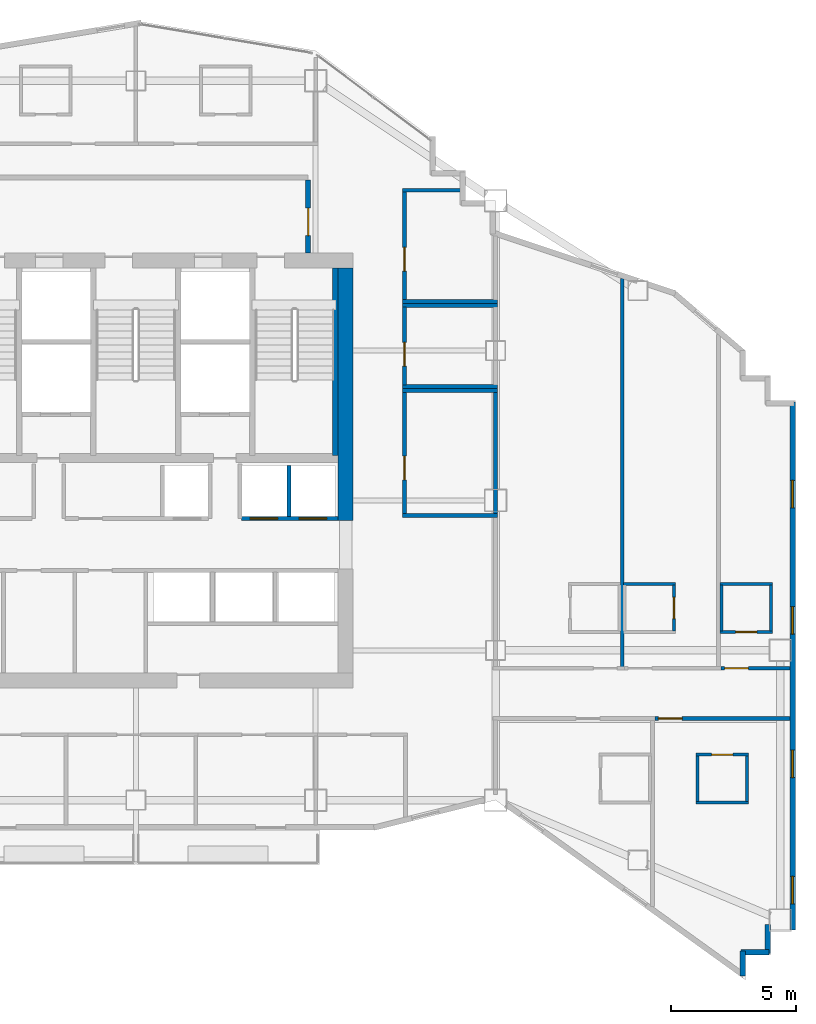
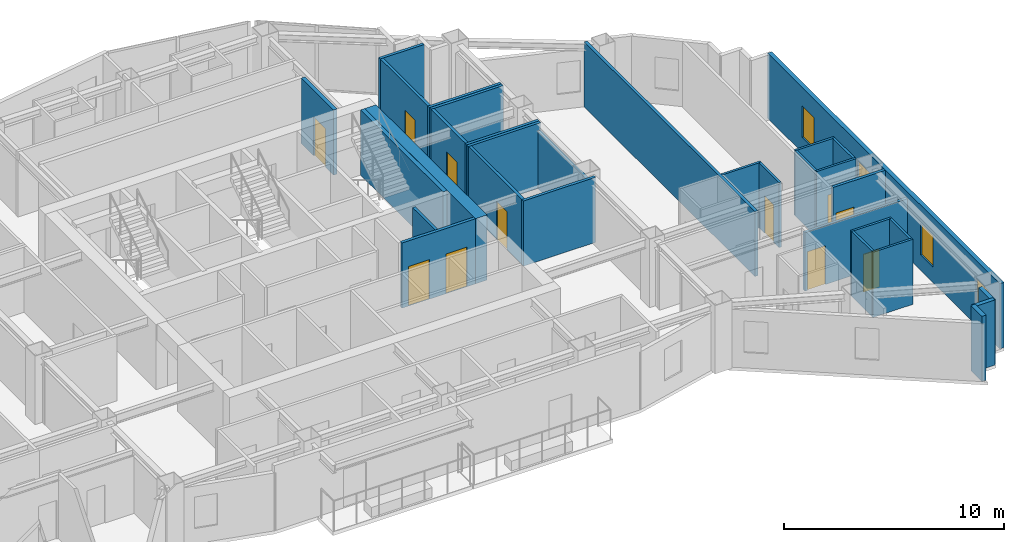
# One storey, part 8 of 11: 32 walls, 11 doors, 4 windows, 15 openings.
"""IFC4 building model written with IfcOpenShell, lengths in metres."""

from ifc_helpers import new_model, si_unit, direction, frame, frame_2d, origin, place, context, subcontext, project, spatial, rectangle, extrude, material, layer, layer_set, type_object, element, fill, save


model = new_model("IFC4")

# Units and contexts
model_context = context("Model", 3, precision=1e-05, world=origin(), true_north=direction((0.0, 1.0)))
body_context = subcontext(model_context, "Body", "Model", "MODEL_VIEW")
ifc_project = project(units=[si_unit("LENGTHUNIT", "METRE"), si_unit("AREAUNIT", "SQUARE_METRE"), si_unit("VOLUMEUNIT", "CUBIC_METRE"), si_unit("PLANEANGLEUNIT", "RADIAN"), si_unit("MASSUNIT", "GRAM", prefix="KILO")], contexts=[model_context])

# Site, building, storey
site_placement = place(None, origin())
site = spatial("IfcSite", under=ifc_project, at=site_placement, CompositionType="ELEMENT")
building_placement = place(site_placement, origin())
building = spatial("IfcBuilding", under=site, at=building_placement, Name="Haolan Belvedere Tower", CompositionType="ELEMENT")
storey_placement = place(building_placement, frame((0.0, 0.0, 215.39990234375)))
storey = spatial("IfcBuildingStorey", under=building, at=storey_placement, Name="L54", CompositionType="ELEMENT", Elevation=215.39990234375)

# Walls
ifc_material_1 = material(Name="Concrete C60/75", Category="concrete")
ifc_layer_1 = layer(ifc_material_1, 0.60009765625, Name="Concrete C60/75")
ifc_layer_set_1 = layer_set([ifc_layer_1], Name="Concrete C60/75")
wall_type_1 = type_object("IfcWallType", Name="WL-CORE-600", PredefinedType="SHEAR", material=ifc_layer_set_1)
wall_1_placement = place(storey_placement, frame((46.800048828125, 32.800048828125, 0.0), z_axis=(0.0, 0.0, 1.0), x_axis=(0.0, 1.0, 0.0)))
element("IfcWall", 1, at=wall_1_placement, inside=storey, type_object=wall_type_1, Name="L54 central core shear wall EN", PredefinedType="SHEAR", context=body_context, shape_type="SweptSolid", body=[
    extrude(rectangle(XDim=10.099853515625, YDim=0.60009765625, at=frame_2d((5.0498046875, 0.0))), origin(), (0.0, 0.0, 1.0), 3.6201171875),
])
ifc_material_2 = material(Name="Precast concrete C40/50", Category="concrete")
ifc_layer_2 = layer(ifc_material_2, 0.219970703125, Name="Precast concrete C40/50")
ifc_layer_set_2 = layer_set([ifc_layer_2], Name="Precast concrete C40/50")
wall_type_2 = type_object("IfcWallType", Name="WL-EXT-220", PredefinedType="SOLIDWALL", material=ifc_layer_set_2)
wall_2_placement = place(storey_placement, frame((62.68994140625, 14.559814453125, 0.0), z_axis=(0.0, 0.0, 1.0), x_axis=(0.0, 1.0, 0.0)))
element("IfcWall", 2, at=wall_2_placement, inside=storey, type_object=wall_type_2, Name="L54 pale-metal exterior spandrel wall 4.1", PredefinedType="SOLIDWALL", context=body_context, shape_type="SweptSolid", body=[
    extrude(rectangle(XDim=1.005126953125, YDim=0.219970703125, at=frame_2d((0.50244140625, 0.0))), origin(), (0.0, 0.0, 1.0), 3.6201171875),
])
wall_3_placement = place(storey_placement, frame((62.635009765625, 15.510009765625, 0.0), z_axis=(0.0, 0.0, 1.0), x_axis=(1.0, 0.0, 0.0)))
element("IfcWall", 3, at=wall_3_placement, inside=storey, type_object=wall_type_2, Name="L54 pale-metal exterior spandrel wall 5.1", PredefinedType="SOLIDWALL", context=body_context, shape_type="SweptSolid", body=[
    extrude(rectangle(XDim=1.110107421875, YDim=0.219970703125, at=frame_2d((0.55517578125, 0.0))), origin(), (0.0, 0.0, 1.0), 3.6201171875),
])
wall_4_placement = place(storey_placement, frame((63.68994140625, 15.455078125, 0.0), z_axis=(0.0, 0.0, 1.0), x_axis=(0.0, 1.0, 0.0)))
element("IfcWall", 4, at=wall_4_placement, inside=storey, type_object=wall_type_2, Name="L54 pale-metal exterior spandrel wall 6.1", PredefinedType="SOLIDWALL", context=body_context, shape_type="SweptSolid", body=[
    extrude(rectangle(XDim=1.1650390625, YDim=0.219970703125, at=frame_2d((0.58251953125, 0.0))), origin(), (0.0, 0.0, 1.0), 3.6201171875),
])

# Wall, openings, windows
wall_5_placement = place(storey_placement, frame((64.68994140625, 16.39990234375, 0.0), z_axis=(0.0, 0.0, 1.0), x_axis=(0.0, 1.0, 0.0)))
wall_5 = element("IfcWall", 5, at=wall_5_placement, inside=storey, type_object=wall_type_2, Name="L54 pale-metal exterior spandrel wall 8.1", PredefinedType="SOLIDWALL", context=body_context, shape_type="SweptSolid", body=[
    extrude(rectangle(XDim=21.14501953125, YDim=0.219970703125, at=frame_2d((10.572509765625, 0.0))), origin(), (0.0, 0.0, 1.0), 3.6201171875),
])
opening_1_placement = place(wall_5_placement, frame((1.050048828125, 0.0, 0.85009765625)))
opening_1 = element("IfcOpeningElement", 6, at=opening_1_placement, cuts=wall_5, Name="Opening W-03", PredefinedType="OPENING", context=body_context, shape_type="SweptSolid", body=[
    extrude(rectangle(XDim=1.10009765625, YDim=1.75, at=frame_2d((0.550048828125, 0.875))), frame((0.0, 0.119873046875, 0.0), z_axis=(0.0, -1.0, 0.0), x_axis=(1.0, 0.0, 0.0)), (0.0, 0.0, 1.0), 0.239990234375),
])
opening_2_placement = place(wall_5_placement, frame((6.10009765625, 0.0, 0.85009765625)))
opening_2 = element("IfcOpeningElement", 7, at=opening_2_placement, cuts=wall_5, Name="Opening W-03", PredefinedType="OPENING", context=body_context, shape_type="SweptSolid", body=[
    extrude(rectangle(XDim=1.10009765625, YDim=1.75, at=frame_2d((0.550048828125, 0.875))), frame((0.0, 0.119873046875, 0.0), z_axis=(0.0, -1.0, 0.0), x_axis=(1.0, 0.0, 0.0)), (0.0, 0.0, 1.0), 0.239990234375),
])
opening_3_placement = place(wall_5_placement, frame((11.85009765625, 0.0, 0.85009765625)))
opening_3 = element("IfcOpeningElement", 8, at=opening_3_placement, cuts=wall_5, Name="Opening W-03", PredefinedType="OPENING", context=body_context, shape_type="SweptSolid", body=[
    extrude(rectangle(XDim=1.10009765625, YDim=1.75, at=frame_2d((0.550048828125, 0.875))), frame((0.0, 0.119873046875, 0.0), z_axis=(0.0, -1.0, 0.0), x_axis=(1.0, 0.0, 0.0)), (0.0, 0.0, 1.0), 0.239990234375),
])
opening_4_placement = place(wall_5_placement, frame((16.89990234375, 0.0, 0.85009765625)))
opening_4 = element("IfcOpeningElement", 9, at=opening_4_placement, cuts=wall_5, Name="Opening W-03", PredefinedType="OPENING", context=body_context, shape_type="SweptSolid", body=[
    extrude(rectangle(XDim=1.10009765625, YDim=1.75, at=frame_2d((0.550048828125, 0.875))), frame((0.0, 0.119873046875, 0.0), z_axis=(0.0, -1.0, 0.0), x_axis=(1.0, 0.0, 0.0)), (0.0, 0.0, 1.0), 0.239990234375),
])
ifc_material_3 = material(Name="Anodised aluminium 6063-T6 and Low-E glass", Category="aluminium")
window_type = type_object("IfcWindowType", Name="WN-DECO-Z3", PartitioningType="SINGLE_PANEL", PredefinedType="WINDOW", material=ifc_material_3)
window_1_placement = place(opening_1_placement, origin())
window_1 = element("IfcWindow", 10, at=window_1_placement, inside=storey, type_object=window_type, Name="L54 Art Deco chevron window 1", OverallHeight=1.75, OverallWidth=1.10009765625, PartitioningType="SINGLE_PANEL", PredefinedType="WINDOW", context=body_context, shape_type="SweptSolid", body=[
    extrude(rectangle(XDim=1.10009765625, YDim=1.75, at=frame_2d((0.550048828125, 0.875))), frame((0.0, 0.030029296875, 0.0), z_axis=(0.0, -1.0, 0.0), x_axis=(1.0, 0.0, 0.0)), (0.0, 0.0, 1.0), 0.06005859375),
])
fill(opening_1, window_1)
window_2_placement = place(opening_2_placement, origin())
window_2 = element("IfcWindow", 11, at=window_2_placement, inside=storey, type_object=window_type, Name="L54 Art Deco chevron window 2", OverallHeight=1.75, OverallWidth=1.10009765625, PartitioningType="SINGLE_PANEL", PredefinedType="WINDOW", context=body_context, shape_type="SweptSolid", body=[
    extrude(rectangle(XDim=1.10009765625, YDim=1.75, at=frame_2d((0.550048828125, 0.875))), frame((0.0, 0.030029296875, 0.0), z_axis=(0.0, -1.0, 0.0), x_axis=(1.0, 0.0, 0.0)), (0.0, 0.0, 1.0), 0.06005859375),
])
fill(opening_2, window_2)
window_3_placement = place(opening_3_placement, origin())
window_3 = element("IfcWindow", 12, at=window_3_placement, inside=storey, type_object=window_type, Name="L54 Art Deco chevron window 3", OverallHeight=1.75, OverallWidth=1.10009765625, PartitioningType="SINGLE_PANEL", PredefinedType="WINDOW", context=body_context, shape_type="SweptSolid", body=[
    extrude(rectangle(XDim=1.10009765625, YDim=1.75, at=frame_2d((0.550048828125, 0.875))), frame((0.0, 0.030029296875, 0.0), z_axis=(0.0, -1.0, 0.0), x_axis=(1.0, 0.0, 0.0)), (0.0, 0.0, 1.0), 0.06005859375),
])
fill(opening_3, window_3)
window_4_placement = place(opening_4_placement, origin())
window_4 = element("IfcWindow", 13, at=window_4_placement, inside=storey, type_object=window_type, Name="L54 Art Deco chevron window 4", OverallHeight=1.75, OverallWidth=1.10009765625, PartitioningType="SINGLE_PANEL", PredefinedType="WINDOW", context=body_context, shape_type="SweptSolid", body=[
    extrude(rectangle(XDim=1.10009765625, YDim=1.75, at=frame_2d((0.550048828125, 0.875))), frame((0.0, 0.030029296875, 0.0), z_axis=(0.0, -1.0, 0.0), x_axis=(1.0, 0.0, 0.0)), (0.0, 0.0, 1.0), 0.06005859375),
])
fill(opening_4, window_4)

# Wall, opening, door
ifc_material_4 = material(Name="Concrete C40/50", Category="concrete")
ifc_layer_3 = layer(ifc_material_4, 0.199951171875, Name="Concrete C40/50")
ifc_layer_set_3 = layer_set([ifc_layer_3], Name="Concrete C40/50")
wall_type_3 = type_object("IfcWallType", Name="WL-FIRE-200", PredefinedType="SOLIDWALL", material=ifc_layer_set_3)
wall_6_placement = place(storey_placement, frame((45.300048828125, 43.5, 0.0), z_axis=(0.0, 0.0, 1.0), x_axis=(0.0, 1.0, 0.0)))
wall_6 = element("IfcWall", 14, at=wall_6_placement, inside=storey, type_object=wall_type_3, Name="L54 interior partition IW-L54-FFL-E", PredefinedType="SOLIDWALL", context=body_context, shape_type="SweptSolid", body=[
    extrude(rectangle(XDim=2.93505859375, YDim=0.199951171875, at=frame_2d((1.467529296875, 0.0))), origin(), (0.0, 0.0, 1.0), 3.6201171875),
])
opening_5_placement = place(wall_6_placement, frame((0.699951171875, 0.0, 0.0)))
opening_5 = element("IfcOpeningElement", 15, at=opening_5_placement, cuts=wall_6, Name="Opening FD-03", PredefinedType="OPENING", context=body_context, shape_type="SweptSolid", body=[
    extrude(rectangle(XDim=1.10009765625, YDim=2.14990234375, at=frame_2d((0.550048828125, 1.074951171875))), frame((0.0, 0.10986328125, 0.0), z_axis=(0.0, -1.0, 0.0), x_axis=(1.0, 0.0, 0.0)), (0.0, 0.0, 1.0), 0.219970703125),
])
ifc_material_5 = material(Name="Galvanised fire-rated steel", Category="steel")
door_type_1 = type_object("IfcDoorType", Name="DR-FD90-1100", OperationType="NOTDEFINED", PredefinedType="DOOR", material=ifc_material_5)
door_1_placement = place(opening_5_placement, origin())
door_1 = element("IfcDoor", 16, at=door_1_placement, inside=storey, type_object=door_type_1, Name="L54 door ID-L54-FFL-DE", OperationType="SINGLE_SWING_RIGHT", OverallHeight=2.14990234375, OverallWidth=1.10009765625, PredefinedType="DOOR", context=body_context, shape_type="SweptSolid", body=[
    extrude(rectangle(XDim=1.10009765625, YDim=2.14990234375, at=frame_2d((0.550048828125, 1.074951171875))), frame((0.0, 0.02490234375, 0.0), z_axis=(0.0, -1.0, 0.0), x_axis=(1.0, 0.0, 0.0)), (0.0, 0.0, 1.0), 0.050048828125),
])
fill(opening_5, door_1)

# Walls
ifc_material_6 = material(Name="Double gypsum acoustic stud partition", Category="masonry")
ifc_layer_4 = layer(ifc_material_6, 0.14990234375, Name="Double gypsum acoustic stud partition")
ifc_layer_set_4 = layer_set([ifc_layer_4], Name="Double gypsum acoustic stud partition")
wall_type_4 = type_object("IfcWallType", Name="WL-PART-150", PredefinedType="PARTITIONING", material=ifc_layer_set_4)
for number, where, z_axis, x_axis, name in (
    (17, (49.080078125, 38.0, 0.0), (0.0, 0.0, 1.0), (1.0, 0.0, 0.0), "L54 interior partition IW-L54-BPN-N"),
    (18, (49.080078125, 33.0, 0.0), (0.0, 0.0, 1.0), (1.0, 0.0, 0.0), "L54 interior partition IW-L54-BPN-S"),
):
    element("IfcWall", number, at=place(storey_placement, frame(where, z_axis=z_axis, x_axis=x_axis)), inside=storey, type_object=wall_type_4, Name=name, PredefinedType="PARTITIONING", context=body_context, shape_type="SweptSolid", body=[
        extrude(rectangle(XDim=3.7998046875, YDim=0.14990234375, at=frame_2d((1.89990234375, 0.0))), origin(), (0.0, 0.0, 1.0), 3.6201171875),
    ])

# Wall, opening, door
wall_7_placement = place(storey_placement, frame((49.159912109375, 33.06005859375, 0.0), z_axis=(0.0, 0.0, 1.0), x_axis=(0.0, 1.0, 0.0)))
wall_7 = element("IfcWall", 19, at=wall_7_placement, inside=storey, type_object=wall_type_4, Name="L54 interior partition IW-L54-BPN-W", PredefinedType="PARTITIONING", context=body_context, shape_type="SweptSolid", body=[
    extrude(rectangle(XDim=4.8798828125, YDim=0.14990234375, at=frame_2d((2.43994140625, 0.0))), origin(), (0.0, 0.0, 1.0), 3.6201171875),
])
opening_6_placement = place(wall_7_placement, frame((1.360107421875, 0.0, 0.0)))
opening_6 = element("IfcOpeningElement", 20, at=opening_6_placement, cuts=wall_7, Name="Opening ID-03", PredefinedType="OPENING", context=body_context, shape_type="SweptSolid", body=[
    extrude(rectangle(XDim=0.949951171875, YDim=2.1201171875, at=frame_2d((0.47509765625, 1.06005859375))), frame((0.0, 0.0849609375, 0.0), z_axis=(0.0, -1.0, 0.0), x_axis=(1.0, 0.0, 0.0)), (0.0, 0.0, 1.0), 0.169921875),
])
ifc_material_7 = material(Name="Painted solid-core timber", Category="wood")
door_type_2 = type_object("IfcDoorType", Name="DR-INT-950", OperationType="NOTDEFINED", PredefinedType="DOOR", material=ifc_material_7)
door_2_placement = place(opening_6_placement, origin())
door_2 = element("IfcDoor", 21, at=door_2_placement, inside=storey, type_object=door_type_2, Name="L54 door ID-L54-BPN", OperationType="SINGLE_SWING_RIGHT", OverallHeight=2.1201171875, OverallWidth=0.949951171875, PredefinedType="DOOR", context=body_context, shape_type="SweptSolid", body=[
    extrude(rectangle(XDim=0.949951171875, YDim=2.1201171875, at=frame_2d((0.47509765625, 1.06005859375))), frame((0.0, 0.02490234375, 0.0), z_axis=(0.0, -1.0, 0.0), x_axis=(1.0, 0.0, 0.0)), (0.0, 0.0, 1.0), 0.050048828125),
])
fill(opening_6, door_2)

# Walls
wall_8_placement = place(storey_placement, frame((52.800048828125, 33.06005859375, 0.0), z_axis=(0.0, 0.0, 1.0), x_axis=(0.0, 1.0, 0.0)))
element("IfcWall", 22, at=wall_8_placement, inside=storey, type_object=wall_type_4, Name="L54 interior partition IW-L54-BPN-E", PredefinedType="PARTITIONING", context=body_context, shape_type="SweptSolid", body=[
    extrude(rectangle(XDim=4.8798828125, YDim=0.14990234375, at=frame_2d((2.43994140625, 0.0))), origin(), (0.0, 0.0, 1.0), 3.215087890625),
])
for number, where, z_axis, x_axis, name in (
    (23, (49.080078125, 41.39990234375, 0.0), (0.0, 0.0, 1.0), (1.0, 0.0, 0.0), "L54 interior partition IW-L54-AWC-N"),
    (24, (49.080078125, 38.159912109375, 0.0), (0.0, 0.0, 1.0), (1.0, 0.0, 0.0), "L54 interior partition IW-L54-AWC-S"),
):
    element("IfcWall", number, at=place(storey_placement, frame(where, z_axis=z_axis, x_axis=x_axis)), inside=storey, type_object=wall_type_4, Name=name, PredefinedType="PARTITIONING", context=body_context, shape_type="SweptSolid", body=[
        extrude(rectangle(XDim=3.7998046875, YDim=0.14990234375, at=frame_2d((1.89990234375, 0.0))), origin(), (0.0, 0.0, 1.0), 3.6201171875),
    ])

# Wall, opening, door
wall_9_placement = place(storey_placement, frame((49.159912109375, 38.219970703125, 0.0), z_axis=(0.0, 0.0, 1.0), x_axis=(0.0, 1.0, 0.0)))
wall_9 = element("IfcWall", 25, at=wall_9_placement, inside=storey, type_object=wall_type_4, Name="L54 interior partition IW-L54-AWC-W", PredefinedType="PARTITIONING", context=body_context, shape_type="SweptSolid", body=[
    extrude(rectangle(XDim=3.1201171875, YDim=0.14990234375, at=frame_2d((1.56005859375, 0.0))), origin(), (0.0, 0.0, 1.0), 3.6201171875),
])
opening_7_placement = place(wall_9_placement, frame((0.760009765625, 0.0, 0.0)))
opening_7 = element("IfcOpeningElement", 26, at=opening_7_placement, cuts=wall_9, Name="Opening ID-03", PredefinedType="OPENING", context=body_context, shape_type="SweptSolid", body=[
    extrude(rectangle(XDim=0.949951171875, YDim=2.1201171875, at=frame_2d((0.47509765625, 1.06005859375))), frame((0.0, 0.0849609375, 0.0), z_axis=(0.0, -1.0, 0.0), x_axis=(1.0, 0.0, 0.0)), (0.0, 0.0, 1.0), 0.169921875),
])
door_3_placement = place(opening_7_placement, origin())
door_3 = element("IfcDoor", 27, at=door_3_placement, inside=storey, type_object=door_type_2, Name="L54 door ID-L54-AWC", OperationType="SINGLE_SWING_LEFT", OverallHeight=2.1201171875, OverallWidth=0.949951171875, PredefinedType="DOOR", context=body_context, shape_type="SweptSolid", body=[
    extrude(rectangle(XDim=0.949951171875, YDim=2.1201171875, at=frame_2d((0.47509765625, 1.06005859375))), frame((0.0, 0.02490234375, 0.0), z_axis=(0.0, -1.0, 0.0), x_axis=(1.0, 0.0, 0.0)), (0.0, 0.0, 1.0), 0.050048828125),
])
fill(opening_7, door_3)

# Walls
wall_10_placement = place(storey_placement, frame((49.080078125, 46.02001953125, 0.0), z_axis=(0.0, 0.0, 1.0), x_axis=(1.0, 0.0, 0.0)))
element("IfcWall", 28, at=wall_10_placement, inside=storey, type_object=wall_type_4, Name="L54 interior partition IW-L54-CLN-N", PredefinedType="PARTITIONING", context=body_context, shape_type="SweptSolid", body=[
    extrude(rectangle(XDim=2.307861328125, YDim=0.14990234375, at=frame_2d((1.15380859375, 0.0))), origin(), (0.0, 0.0, 1.0), 3.6201171875),
])
wall_11_placement = place(storey_placement, frame((49.080078125, 41.56005859375, 0.0), z_axis=(0.0, 0.0, 1.0), x_axis=(1.0, 0.0, 0.0)))
element("IfcWall", 29, at=wall_11_placement, inside=storey, type_object=wall_type_4, Name="L54 interior partition IW-L54-CLN-S", PredefinedType="PARTITIONING", context=body_context, shape_type="SweptSolid", body=[
    extrude(rectangle(XDim=3.7998046875, YDim=0.14990234375, at=frame_2d((1.89990234375, 0.0))), origin(), (0.0, 0.0, 1.0), 3.6201171875),
])

# Wall, opening, door
wall_12_placement = place(storey_placement, frame((49.159912109375, 41.6201171875, 0.0), z_axis=(0.0, 0.0, 1.0), x_axis=(0.0, 1.0, 0.0)))
wall_12 = element("IfcWall", 30, at=wall_12_placement, inside=storey, type_object=wall_type_4, Name="L54 interior partition IW-L54-CLN-W", PredefinedType="PARTITIONING", context=body_context, shape_type="SweptSolid", body=[
    extrude(rectangle(XDim=4.33984375, YDim=0.14990234375, at=frame_2d((2.169921875, 0.0))), origin(), (0.0, 0.0, 1.0), 3.6201171875),
])
opening_8_placement = place(wall_12_placement, frame((1.159912109375, 0.0, 0.0)))
opening_8 = element("IfcOpeningElement", 31, at=opening_8_placement, cuts=wall_12, Name="Opening ID-03", PredefinedType="OPENING", context=body_context, shape_type="SweptSolid", body=[
    extrude(rectangle(XDim=0.949951171875, YDim=2.1201171875, at=frame_2d((0.47509765625, 1.06005859375))), frame((0.0, 0.0849609375, 0.0), z_axis=(0.0, -1.0, 0.0), x_axis=(1.0, 0.0, 0.0)), (0.0, 0.0, 1.0), 0.169921875),
])
door_4_placement = place(opening_8_placement, origin())
door_4 = element("IfcDoor", 32, at=door_4_placement, inside=storey, type_object=door_type_2, Name="L54 door ID-L54-CLN", OperationType="SINGLE_SWING_RIGHT", OverallHeight=2.1201171875, OverallWidth=0.949951171875, PredefinedType="DOOR", context=body_context, shape_type="SweptSolid", body=[
    extrude(rectangle(XDim=0.949951171875, YDim=2.1201171875, at=frame_2d((0.47509765625, 1.06005859375))), frame((0.0, 0.02490234375, 0.0), z_axis=(0.0, -1.0, 0.0), x_axis=(1.0, 0.0, 0.0)), (0.0, 0.0, 1.0), 0.050048828125),
])
fill(opening_8, door_4)

# Wall
wall_13_placement = place(storey_placement, frame((57.8701171875, 26.93994140625, 0.0), z_axis=(0.0, 0.0, 1.0), x_axis=(0.0, 1.0, 0.0)))
element("IfcWall", 33, at=wall_13_placement, inside=storey, type_object=wall_type_4, Name="L54 interior partition IW-L54-T4N1-E", PredefinedType="PARTITIONING", context=body_context, shape_type="SweptSolid", body=[
    extrude(rectangle(XDim=15.546630859375, YDim=0.14990234375, at=frame_2d((7.7734375, 0.0))), origin(), (0.0, 0.0, 1.0), 3.6201171875),
])

# Wall, opening, door
wall_14_placement = place(storey_placement, frame((61.83203125, 26.8798828125, 0.0), z_axis=(0.0, 0.0, 1.0), x_axis=(1.0, 0.0, 0.0)))
wall_14 = element("IfcWall", 34, at=wall_14_placement, inside=storey, type_object=wall_type_4, Name="L54 interior partition IW-L54-T4N3-S", PredefinedType="PARTITIONING", context=body_context, shape_type="SweptSolid", body=[
    extrude(rectangle(XDim=2.755859375, YDim=0.14990234375, at=frame_2d((1.3779296875, 0.0))), origin(), (0.0, 0.0, 1.0), 3.6201171875),
])
opening_9_placement = place(wall_14_placement, frame((0.139892578125, 0.0, 0.0)))
opening_9 = element("IfcOpeningElement", 35, at=opening_9_placement, cuts=wall_14, Name="Opening ID-02", PredefinedType="OPENING", context=body_context, shape_type="SweptSolid", body=[
    extrude(rectangle(XDim=0.949951171875, YDim=2.14990234375, at=frame_2d((0.47509765625, 1.074951171875))), frame((0.0, 0.0849609375, 0.0), z_axis=(0.0, -1.0, 0.0), x_axis=(1.0, 0.0, 0.0)), (0.0, 0.0, 1.0), 0.169921875),
])
ifc_material_8 = material(Name="Acoustic oak veneer fire-rated timber", Category="wood")
door_type_3 = type_object("IfcDoorType", Name="DR-GUEST-950", OperationType="NOTDEFINED", PredefinedType="DOOR", material=ifc_material_8)
door_5_placement = place(opening_9_placement, origin())
door_5 = element("IfcDoor", 36, at=door_5_placement, inside=storey, type_object=door_type_3, Name="L54 door ID-L54-T4N3-ENT", OperationType="SINGLE_SWING_LEFT", OverallHeight=2.14990234375, OverallWidth=0.949951171875, PredefinedType="DOOR", context=body_context, shape_type="SweptSolid", body=[
    extrude(rectangle(XDim=0.949951171875, YDim=2.14990234375, at=frame_2d((0.47509765625, 1.074951171875))), frame((0.0, 0.02490234375, 0.0), z_axis=(0.0, -1.0, 0.0), x_axis=(1.0, 0.0, 0.0)), (0.0, 0.0, 1.0), 0.050048828125),
])
fill(opening_9, door_5)

wall_15_placement = place(storey_placement, frame((59.181884765625, 24.8701171875, 0.0), z_axis=(0.0, 0.0, 1.0), x_axis=(1.0, 0.0, 0.0)))
wall_15 = element("IfcWall", 37, at=wall_15_placement, inside=storey, type_object=wall_type_4, Name="L54 interior partition IW-L54-T4S2-N", PredefinedType="PARTITIONING", context=body_context, shape_type="SweptSolid", body=[
    extrude(rectangle(XDim=5.406005859375, YDim=0.14990234375, at=frame_2d((2.703125, 0.0))), origin(), (0.0, 0.0, 1.0), 3.255126953125),
])
opening_10_placement = place(wall_15_placement, frame((1.08984375, 0.0, 0.0), z_axis=(0.0, 0.0, 1.0), x_axis=(-1.0, 0.0, 0.0)))
opening_10 = element("IfcOpeningElement", 38, at=opening_10_placement, cuts=wall_15, Name="Opening ID-02", PredefinedType="OPENING", context=body_context, shape_type="SweptSolid", body=[
    extrude(rectangle(XDim=0.949951171875, YDim=2.14990234375, at=frame_2d((0.47509765625, 1.074951171875))), frame((0.0, 0.0849609375, 0.0), z_axis=(0.0, -1.0, 0.0), x_axis=(1.0, 0.0, 0.0)), (0.0, 0.0, 1.0), 0.169921875),
])
door_6_placement = place(opening_10_placement, origin())
door_6 = element("IfcDoor", 39, at=door_6_placement, inside=storey, type_object=door_type_3, Name="L54 door ID-L54-T4S2-ENT", OperationType="SINGLE_SWING_LEFT", OverallHeight=2.14990234375, OverallWidth=0.949951171875, PredefinedType="DOOR", context=body_context, shape_type="SweptSolid", body=[
    extrude(rectangle(XDim=0.949951171875, YDim=2.14990234375, at=frame_2d((0.47509765625, 1.074951171875))), frame((0.0, 0.02490234375, 0.0), z_axis=(0.0, -1.0, 0.0), x_axis=(1.0, 0.0, 0.0)), (0.0, 0.0, 1.0), 0.050048828125),
])
fill(opening_10, door_6)

# Wall, openings, doors
ifc_material_9 = material(Name="Gypsum fire shaftwall assembly", Category="masonry")
ifc_layer_5 = layer(ifc_material_9, 0.1650390625, Name="Gypsum fire shaftwall assembly")
ifc_layer_set_5 = layer_set([ifc_layer_5], Name="Gypsum fire shaftwall assembly")
wall_type_5 = type_object("IfcWallType", Name="WL-SHAFT-160", PredefinedType="SOLIDWALL", material=ifc_layer_set_5)
wall_16_placement = place(storey_placement, frame((42.6298828125, 32.8798828125, 0.0), z_axis=(0.0, 0.0, 1.0), x_axis=(1.0, 0.0, 0.0)))
wall_16 = element("IfcWall", 40, at=wall_16_placement, inside=storey, type_object=wall_type_5, Name="L54 interior partition IW-L54-ROW-PN3", PredefinedType="SOLIDWALL", context=body_context, shape_type="SweptSolid", body=[
    extrude(rectangle(XDim=3.8701171875, YDim=0.159912109375, at=frame_2d((1.93505859375, 0.0))), origin(), (0.0, 0.0, 1.0), 3.6201171875),
])
opening_11_placement = place(wall_16_placement, frame((1.4501953125, 0.0, 0.0), z_axis=(0.0, 0.0, 1.0), x_axis=(-1.0, 0.0, 0.0)))
opening_11 = element("IfcOpeningElement", 41, at=opening_11_placement, cuts=wall_16, Name="Opening LD-01", PredefinedType="OPENING", context=body_context, shape_type="SweptSolid", body=[
    extrude(rectangle(XDim=1.10009765625, YDim=2.199951171875, at=frame_2d((0.550048828125, 1.10009765625))), frame((0.0, 0.08984375, 0.0), z_axis=(0.0, -1.0, 0.0), x_axis=(1.0, 0.0, 0.0)), (0.0, 0.0, 1.0), 0.179931640625),
])
opening_12_placement = place(wall_16_placement, frame((3.41015625, 0.0, 0.0), z_axis=(0.0, 0.0, 1.0), x_axis=(-1.0, 0.0, 0.0)))
opening_12 = element("IfcOpeningElement", 42, at=opening_12_placement, cuts=wall_16, Name="Opening LD-01", PredefinedType="OPENING", context=body_context, shape_type="SweptSolid", body=[
    extrude(rectangle(XDim=1.10009765625, YDim=2.199951171875, at=frame_2d((0.550048828125, 1.10009765625))), frame((0.0, 0.08984375, 0.0), z_axis=(0.0, -1.0, 0.0), x_axis=(1.0, 0.0, 0.0)), (0.0, 0.0, 1.0), 0.179931640625),
])
ifc_material_10 = material(Name="Brushed champagne stainless steel 316L", Category="steel")
door_type_4 = type_object("IfcDoorType", Name="DR-LIFT-1100", OperationType="SLIDING_TO_LEFT", PredefinedType="DOOR", material=ifc_material_10)
door_7_placement = place(opening_11_placement, origin())
door_7 = element("IfcDoor", 43, at=door_7_placement, inside=storey, type_object=door_type_4, Name="L54 door ID-L54-LD-PH2", OperationType="SLIDING_TO_RIGHT", OverallHeight=2.199951171875, OverallWidth=1.10009765625, PredefinedType="DOOR", context=body_context, shape_type="SweptSolid", body=[
    extrude(rectangle(XDim=1.10009765625, YDim=2.199951171875, at=frame_2d((0.550048828125, 1.10009765625))), frame((0.0, 0.02490234375, 0.0), z_axis=(0.0, -1.0, 0.0), x_axis=(1.0, 0.0, 0.0)), (0.0, 0.0, 1.0), 0.050048828125),
])
fill(opening_11, door_7)
door_8_placement = place(opening_12_placement, origin())
door_8 = element("IfcDoor", 44, at=door_8_placement, inside=storey, type_object=door_type_4, Name="L54 door ID-L54-LD-PH3", OperationType="SLIDING_TO_RIGHT", OverallHeight=2.199951171875, OverallWidth=1.10009765625, PredefinedType="DOOR", context=body_context, shape_type="SweptSolid", body=[
    extrude(rectangle(XDim=1.10009765625, YDim=2.199951171875, at=frame_2d((0.550048828125, 1.10009765625))), frame((0.0, 0.02490234375, 0.0), z_axis=(0.0, -1.0, 0.0), x_axis=(1.0, 0.0, 0.0)), (0.0, 0.0, 1.0), 0.050048828125),
])
fill(opening_12, door_8)

# Walls
wall_17_placement = place(storey_placement, frame((44.530029296875, 32.949951171875, 0.0), z_axis=(0.0, 0.0, 1.0), x_axis=(0.0, 1.0, 0.0)))
element("IfcWall", 45, at=wall_17_placement, inside=storey, type_object=wall_type_5, Name="L54 interior partition IW-L54-DIV-PH2", PredefinedType="SOLIDWALL", context=body_context, shape_type="SweptSolid", body=[
    extrude(rectangle(XDim=2.050048828125, YDim=0.14990234375, at=frame_2d((1.02490234375, 0.0))), origin(), (0.0, 0.0, 1.0), 3.6201171875),
])
ifc_material_11 = material(Name="Concrete C50/60", Category="concrete")
ifc_layer_6 = layer(ifc_material_11, 0.219970703125, Name="Concrete C50/60")
ifc_layer_set_6 = layer_set([ifc_layer_6], Name="Concrete C50/60")
wall_type_6 = type_object("IfcWallType", Name="WL-STAIR-220", PredefinedType="SHEAR", material=ifc_layer_set_6)
wall_18_placement = place(storey_placement, frame((46.387939453125, 35.389892578125, 0.0), z_axis=(0.0, 0.0, 1.0), x_axis=(0.0, 1.0, 0.0)))
element("IfcWall", 46, at=wall_18_placement, inside=storey, type_object=wall_type_6, Name="L54 structural stair core wall ST2E", PredefinedType="SHEAR", context=body_context, shape_type="SweptSolid", body=[
    extrude(rectangle(XDim=7.510009765625, YDim=0.219970703125, at=frame_2d((3.7548828125, 0.0))), origin(), (0.0, 0.0, 1.0), 3.6201171875),
])
ifc_material_12 = material(Name="Moisture-resistant gypsum tile partition", Category="masonry")
ifc_layer_7 = layer(ifc_material_12, 0.1201171875, Name="Moisture-resistant gypsum tile partition")
ifc_layer_set_7 = layer_set([ifc_layer_7], Name="Moisture-resistant gypsum tile partition")
wall_type_7 = type_object("IfcWallType", Name="WL-WET-120", PredefinedType="PARTITIONING", material=ifc_layer_set_7)
wall_19_placement = place(storey_placement, frame((57.929931640625, 30.25, 0.0), z_axis=(0.0, 0.0, 1.0), x_axis=(1.0, 0.0, 0.0)))
element("IfcWall", 47, at=wall_19_placement, inside=storey, type_object=wall_type_7, Name="L54 interior partition IW-L54-T4N2-BN", PredefinedType="PARTITIONING", context=body_context, shape_type="SweptSolid", body=[
    extrude(rectangle(XDim=2.080078125, YDim=0.1201171875, at=frame_2d((1.0400390625, 0.0))), origin(), (0.0, 0.0, 1.0), 3.6201171875),
])

# Wall, opening, door
wall_20_placement = place(storey_placement, frame((59.949951171875, 28.375, 0.0), z_axis=(0.0, 0.0, 1.0), x_axis=(0.0, 1.0, 0.0)))
wall_20 = element("IfcWall", 48, at=wall_20_placement, inside=storey, type_object=wall_type_7, Name="L54 interior partition IW-L54-T4N2-BE", PredefinedType="PARTITIONING", context=body_context, shape_type="SweptSolid", body=[
    extrude(rectangle(XDim=1.830078125, YDim=0.1201171875, at=frame_2d((0.9150390625, 0.0))), origin(), (0.0, 0.0, 1.0), 3.6201171875),
])
opening_13_placement = place(wall_20_placement, frame((0.489990234375, 0.0, 0.0)))
opening_13 = element("IfcOpeningElement", 49, at=opening_13_placement, cuts=wall_20, Name="Opening ID-05", PredefinedType="OPENING", context=body_context, shape_type="SweptSolid", body=[
    extrude(rectangle(XDim=0.85009765625, YDim=2.10009765625, at=frame_2d((0.425048828125, 1.050048828125))), frame((0.0, 0.070068359375, 0.0), z_axis=(0.0, -1.0, 0.0), x_axis=(1.0, 0.0, 0.0)), (0.0, 0.0, 1.0), 0.14013671875),
])
ifc_material_13 = material(Name="Moisture-resistant lacquered timber", Category="wood")
door_type_5 = type_object("IfcDoorType", Name="DR-BATH-850", OperationType="NOTDEFINED", PredefinedType="DOOR", material=ifc_material_13)
door_9_placement = place(opening_13_placement, origin())
door_9 = element("IfcDoor", 50, at=door_9_placement, inside=storey, type_object=door_type_5, Name="L54 door ID-L54-T4N2-BATH", OperationType="SINGLE_SWING_LEFT", OverallHeight=2.10009765625, OverallWidth=0.85009765625, PredefinedType="DOOR", context=body_context, shape_type="SweptSolid", body=[
    extrude(rectangle(XDim=0.85009765625, YDim=2.10009765625, at=frame_2d((0.425048828125, 1.050048828125))), frame((0.0, 0.02490234375, 0.0), z_axis=(0.0, -1.0, 0.0), x_axis=(1.0, 0.0, 0.0)), (0.0, 0.0, 1.0), 0.050048828125),
])
fill(opening_13, door_9)

# Wall
wall_21_placement = place(storey_placement, frame((61.7900390625, 30.25, 0.0), z_axis=(0.0, 0.0, 1.0), x_axis=(1.0, 0.0, 0.0)))
element("IfcWall", 51, at=wall_21_placement, inside=storey, type_object=wall_type_7, Name="L54 interior partition IW-L54-T4N3-BN", PredefinedType="PARTITIONING", context=body_context, shape_type="SweptSolid", body=[
    extrude(rectangle(XDim=2.094970703125, YDim=0.1201171875, at=frame_2d((1.04736328125, 0.0))), origin(), (0.0, 0.0, 1.0), 3.6201171875),
])

# Wall, opening, door
wall_22_placement = place(storey_placement, frame((61.7900390625, 28.330078125, 0.0), z_axis=(0.0, 0.0, 1.0), x_axis=(1.0, 0.0, 0.0)))
wall_22 = element("IfcWall", 52, at=wall_22_placement, inside=storey, type_object=wall_type_7, Name="L54 interior partition IW-L54-T4N3-BS", PredefinedType="PARTITIONING", context=body_context, shape_type="SweptSolid", body=[
    extrude(rectangle(XDim=2.094970703125, YDim=0.1201171875, at=frame_2d((1.04736328125, 0.0))), origin(), (0.0, 0.0, 1.0), 3.6201171875),
])
opening_14_placement = place(wall_22_placement, frame((0.6201171875, 0.0, 0.0)))
opening_14 = element("IfcOpeningElement", 53, at=opening_14_placement, cuts=wall_22, Name="Opening ID-05", PredefinedType="OPENING", context=body_context, shape_type="SweptSolid", body=[
    extrude(rectangle(XDim=0.85009765625, YDim=2.10009765625, at=frame_2d((0.425048828125, 1.050048828125))), frame((0.0, 0.070068359375, 0.0), z_axis=(0.0, -1.0, 0.0), x_axis=(1.0, 0.0, 0.0)), (0.0, 0.0, 1.0), 0.14013671875),
])
door_10_placement = place(opening_14_placement, origin())
door_10 = element("IfcDoor", 54, at=door_10_placement, inside=storey, type_object=door_type_5, Name="L54 door ID-L54-T4N3-BATH", OperationType="SINGLE_SWING_RIGHT", OverallHeight=2.10009765625, OverallWidth=0.85009765625, PredefinedType="DOOR", context=body_context, shape_type="SweptSolid", body=[
    extrude(rectangle(XDim=0.85009765625, YDim=2.10009765625, at=frame_2d((0.425048828125, 1.050048828125))), frame((0.0, 0.02490234375, 0.0), z_axis=(0.0, -1.0, 0.0), x_axis=(1.0, 0.0, 0.0)), (0.0, 0.0, 1.0), 0.050048828125),
])
fill(opening_14, door_10)

# Walls
for number, where, z_axis, x_axis, name in (
    (55, (61.844970703125, 28.375, 0.0), (0.0, 0.0, 1.0), (0.0, 1.0, 0.0), "L54 interior partition IW-L54-T4N3-BW"),
    (56, (63.824951171875, 28.375, 0.0), (0.0, 0.0, 1.0), (0.0, 1.0, 0.0), "L54 interior partition IW-L54-T4N3-BE"),
):
    element("IfcWall", number, at=place(storey_placement, frame(where, z_axis=z_axis, x_axis=x_axis)), inside=storey, type_object=wall_type_7, Name=name, PredefinedType="PARTITIONING", context=body_context, shape_type="SweptSolid", body=[
        extrude(rectangle(XDim=1.830078125, YDim=0.1201171875, at=frame_2d((0.9150390625, 0.0))), origin(), (0.0, 0.0, 1.0), 3.6201171875),
    ])

# Wall, opening, door
wall_23_placement = place(storey_placement, frame((60.824951171875, 23.419921875, 0.0), z_axis=(0.0, 0.0, 1.0), x_axis=(1.0, 0.0, 0.0)))
wall_23 = element("IfcWall", 57, at=wall_23_placement, inside=storey, type_object=wall_type_7, Name="L54 interior partition IW-L54-T4S2-BN", PredefinedType="PARTITIONING", context=body_context, shape_type="SweptSolid", body=[
    extrude(rectangle(XDim=2.10009765625, YDim=0.1201171875, at=frame_2d((1.050048828125, 0.0))), origin(), (0.0, 0.0, 1.0), 3.6201171875),
])
opening_15_placement = place(wall_23_placement, frame((1.47509765625, 0.0, 0.0), z_axis=(0.0, 0.0, 1.0), x_axis=(-1.0, 0.0, 0.0)))
opening_15 = element("IfcOpeningElement", 58, at=opening_15_placement, cuts=wall_23, Name="Opening ID-05", PredefinedType="OPENING", context=body_context, shape_type="SweptSolid", body=[
    extrude(rectangle(XDim=0.85009765625, YDim=2.10009765625, at=frame_2d((0.425048828125, 1.050048828125))), frame((0.0, 0.070068359375, 0.0), z_axis=(0.0, -1.0, 0.0), x_axis=(1.0, 0.0, 0.0)), (0.0, 0.0, 1.0), 0.14013671875),
])
door_11_placement = place(opening_15_placement, origin())
door_11 = element("IfcDoor", 59, at=door_11_placement, inside=storey, type_object=door_type_5, Name="L54 door ID-L54-T4S2-BATH", OperationType="SINGLE_SWING_RIGHT", OverallHeight=2.10009765625, OverallWidth=0.85009765625, PredefinedType="DOOR", context=body_context, shape_type="SweptSolid", body=[
    extrude(rectangle(XDim=0.85009765625, YDim=2.10009765625, at=frame_2d((0.425048828125, 1.050048828125))), frame((0.0, 0.02490234375, 0.0), z_axis=(0.0, -1.0, 0.0), x_axis=(1.0, 0.0, 0.0)), (0.0, 0.0, 1.0), 0.050048828125),
])
fill(opening_15, door_11)

# Walls
wall_24_placement = place(storey_placement, frame((60.824951171875, 21.5, 0.0), z_axis=(0.0, 0.0, 1.0), x_axis=(1.0, 0.0, 0.0)))
element("IfcWall", 60, at=wall_24_placement, inside=storey, type_object=wall_type_7, Name="L54 interior partition IW-L54-T4S2-BS", PredefinedType="PARTITIONING", context=body_context, shape_type="SweptSolid", body=[
    extrude(rectangle(XDim=2.10009765625, YDim=0.1201171875, at=frame_2d((1.050048828125, 0.0))), origin(), (0.0, 0.0, 1.0), 3.6201171875),
])
for number, where, z_axis, x_axis, name in (
    (61, (60.885009765625, 21.544921875, 0.0), (0.0, 0.0, 1.0), (0.0, 1.0, 0.0), "L54 interior partition IW-L54-T4S2-BW"),
    (62, (62.864990234375, 21.544921875, 0.0), (0.0, 0.0, 1.0), (0.0, 1.0, 0.0), "L54 interior partition IW-L54-T4S2-BE"),
):
    element("IfcWall", number, at=place(storey_placement, frame(where, z_axis=z_axis, x_axis=x_axis)), inside=storey, type_object=wall_type_7, Name=name, PredefinedType="PARTITIONING", context=body_context, shape_type="SweptSolid", body=[
        extrude(rectangle(XDim=1.830078125, YDim=0.1201171875, at=frame_2d((0.9150390625, 0.0))), origin(), (0.0, 0.0, 1.0), 3.6201171875),
    ])

save(model, "model.ifc")
